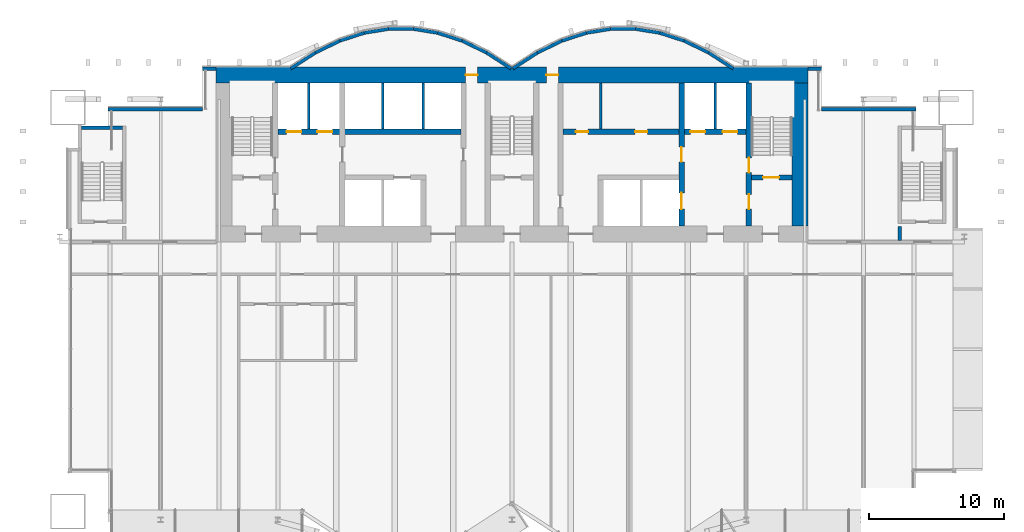
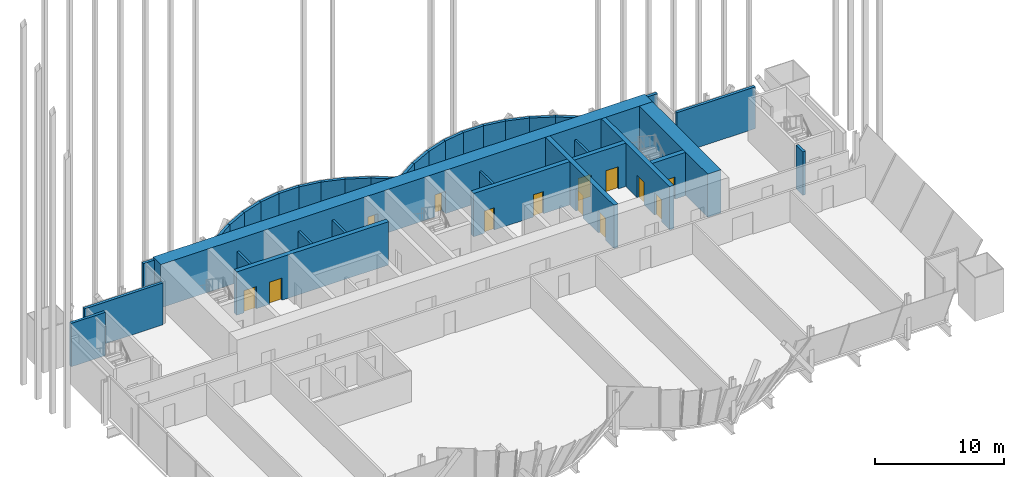
# One storey, part 30 of 33: 36 walls, 13 doors, 13 openings.
"""IFC4 building model written with IfcOpenShell, lengths in metres."""

from ifc_helpers import new_model, si_unit, direction, frame, frame_2d, origin, place, context, subcontext, project, spatial, rectangle, extrude, material, layer, layer_set, layer_usage, type_object, element, fill, save


model = new_model("IFC4")

# Units and contexts
model_context = context("Model", 3, precision=1e-05, world=origin(), true_north=direction((0.0, 1.0)))
body_context = subcontext(model_context, "Body", "Model", "MODEL_VIEW")
ifc_project = project(units=[si_unit("LENGTHUNIT", "METRE"), si_unit("AREAUNIT", "SQUARE_METRE"), si_unit("VOLUMEUNIT", "CUBIC_METRE"), si_unit("PLANEANGLEUNIT", "RADIAN"), si_unit("MASSUNIT", "GRAM", prefix="KILO")], contexts=[model_context])

# Site, building, storey
site_placement = place(None, origin())
site = spatial("IfcSite", under=ifc_project, at=site_placement, CompositionType="ELEMENT")
building_placement = place(site_placement, origin())
building = spatial("IfcBuilding", under=site, at=building_placement, Name="Bicima Exchange Tower", CompositionType="ELEMENT")
storey_placement = place(building_placement, frame((0.0, 0.0, 140.39990234375)))
storey = spatial("IfcBuildingStorey", under=building, at=storey_placement, Name="L30", CompositionType="ELEMENT", Elevation=140.39990234375)

# Walls
ifc_material_1 = material(Name="Gypsum board partition")
ifc_layer_1 = layer(ifc_material_1, 0.199951171875)
ifc_layer_set_1 = layer_set([ifc_layer_1], Name="Gypsum board partition")
wall_type_1 = type_object("IfcWallType", Name="Fire-rated gypsum partition 200 EI120", PredefinedType="PARTITIONING", material=ifc_layer_set_1)
for number, where, z_axis, x_axis, name in (
    (1, (-15.10009765625, -4.60009765625, 0.0), (0.0, 0.0, 1.0), (0.0, 1.0, 0.0), "partition wall 9"),
    (2, (-9.60009765625, -4.60009765625, 0.0), (0.0, 0.0, 1.0), (0.0, 1.0, 0.0), "partition wall 12"),
    (3, (-6.60009765625, -4.60009765625, 0.0), (0.0, 0.0, 1.0), (0.0, 1.0, 0.0), "partition wall 14"),
    (4, (15.10009765625, -4.60009765625, 0.0), (0.0, 0.0, 1.0), (0.0, 1.0, 0.0), "partition wall 23"),
):
    element("IfcWall", number, at=place(storey_placement, frame(where, z_axis=z_axis, x_axis=x_axis)), inside=storey, type_object=wall_type_1, Name=name, PredefinedType="PARTITIONING", context=body_context, shape_type="SweptSolid", body=[
        extrude(rectangle(XDim=3.400146484375, YDim=0.199951171875, at=frame_2d((1.7001953125, 0.0))), origin(), (0.0, 0.0, 1.0), 2.939453125),
    ])
ifc_layer_2 = layer(ifc_material_1, 0.199951171875)
ifc_layer_set_2 = layer_set([ifc_layer_2], Name="Gypsum board partition")
wall_type_2 = type_object("IfcWallType", Name="Fire-rated gypsum partition 200 EI60", PredefinedType="PARTITIONING", material=ifc_layer_set_2)
wall_1_placement = place(storey_placement, frame((6.60009765625, -4.60009765625, 0.0), z_axis=(0.0, 0.0, 1.0), x_axis=(0.0, 1.0, 0.0)))
element("IfcWall", 5, at=wall_1_placement, inside=storey, type_object=wall_type_2, Name="partition wall 20", PredefinedType="PARTITIONING", context=body_context, shape_type="SweptSolid", body=[
    extrude(rectangle(XDim=3.400146484375, YDim=0.199951171875, at=frame_2d((1.7001953125, 0.0))), origin(), (0.0, 0.0, 1.0), 2.939453125),
])

# Wall, openings, doors
ifc_material_2 = material(Name="Concrete C50/60", Category="concrete")
ifc_layer_3 = layer(ifc_material_2, 1.199951171875)
ifc_layer_set_3 = layer_set([ifc_layer_3], Name="Concrete C50/60")
wall_type_3 = type_object("IfcWallType", Name="RC core wall 1200 C50/60", PredefinedType="SHEAR", material=ifc_layer_set_3)
wall_2_placement = place(storey_placement, frame((-22.0, -0.60009765625, 0.0), z_axis=(0.0, 0.0, 1.0), x_axis=(1.0, 0.0, 0.0)))
wall_2 = element("IfcWall", 6, at=wall_2_placement, inside=storey, type_object=wall_type_3, Name="Core wall north", PredefinedType="SHEAR", context=body_context, shape_type="SweptSolid", body=[
    extrude(rectangle(XDim=44.0, YDim=1.199951171875, at=frame_2d((22.0, 0.0))), origin(), (0.0, 0.0, 1.0), 4.10009765625),
])
opening_1_placement = place(wall_2_placement, frame((18.550048828125, 0.0, 0.0)))
opening_1 = element("IfcOpeningElement", 7, at=opening_1_placement, cuts=wall_2, Name="Opening L30-C14", PredefinedType="OPENING", context=body_context, shape_type="SweptSolid", body=[
    extrude(rectangle(XDim=0.89990234375, YDim=2.10009765625, at=frame_2d((0.449951171875, 1.050048828125))), frame((0.0, 0.61181640625, 0.0), z_axis=(0.0, -1.0, 0.0), x_axis=(1.0, 0.0, 0.0)), (0.0, 0.0, 1.0), 1.223876953125),
])
opening_2_placement = place(wall_2_placement, frame((24.550048828125, 0.0, 0.0)))
opening_2 = element("IfcOpeningElement", 8, at=opening_2_placement, cuts=wall_2, Name="Opening L30-C15", PredefinedType="OPENING", context=body_context, shape_type="SweptSolid", body=[
    extrude(rectangle(XDim=0.89990234375, YDim=2.10009765625, at=frame_2d((0.449951171875, 1.050048828125))), frame((0.0, 0.61181640625, 0.0), z_axis=(0.0, -1.0, 0.0), x_axis=(1.0, 0.0, 0.0)), (0.0, 0.0, 1.0), 1.223876953125),
])
ifc_material_3 = material(Name="Steel fire door leaf", Category="steel")
door_type_1 = type_object("IfcDoorType", Name="Door 900 swing FD30S", OperationType="SINGLE_SWING_LEFT", PredefinedType="DOOR", material=ifc_material_3)
door_1_placement = place(opening_1_placement, origin())
door_1 = element("IfcDoor", 9, at=door_1_placement, inside=storey, type_object=door_type_1, Name="Core door", OperationType="SINGLE_SWING_LEFT", OverallHeight=2.10009765625, OverallWidth=0.89990234375, PredefinedType="DOOR", context=body_context, shape_type="SweptSolid", body=[
    extrude(rectangle(XDim=0.89990234375, YDim=2.10009765625, at=frame_2d((0.449951171875, 1.050048828125))), frame((0.0, 0.02490234375, 0.0), z_axis=(0.0, -1.0, 0.0), x_axis=(1.0, 0.0, 0.0)), (0.0, 0.0, 1.0), 0.050048828125),
])
fill(opening_1, door_1)
door_2_placement = place(opening_2_placement, origin())
door_2 = element("IfcDoor", 10, at=door_2_placement, inside=storey, type_object=door_type_1, Name="Core door", OperationType="SINGLE_SWING_LEFT", OverallHeight=2.10009765625, OverallWidth=0.89990234375, PredefinedType="DOOR", context=body_context, shape_type="SweptSolid", body=[
    extrude(rectangle(XDim=0.89990234375, YDim=2.10009765625, at=frame_2d((0.449951171875, 1.050048828125))), frame((0.0, 0.02490234375, 0.0), z_axis=(0.0, -1.0, 0.0), x_axis=(1.0, 0.0, 0.0)), (0.0, 0.0, 1.0), 0.050048828125),
])
fill(opening_2, door_2)

# Walls
wall_3_placement = place(storey_placement, frame((21.39990234375, -11.800048828125, 0.0), z_axis=(0.0, 0.0, 1.0), x_axis=(0.0, 1.0, 0.0)))
element("IfcWall", 11, at=wall_3_placement, inside=storey, type_object=wall_type_3, Name="Core wall east", PredefinedType="SHEAR", context=body_context, shape_type="SweptSolid", body=[
    extrude(rectangle(XDim=10.60009765625, YDim=1.199951171875, at=frame_2d((5.300048828125, 0.0))), origin(), (0.0, 0.0, 1.0), 4.10009765625),
])
ifc_layer_4 = layer(ifc_material_2, 0.25)
ifc_layer_set_4 = layer_set([ifc_layer_4], Name="Concrete C50/60")
wall_type_4 = type_object("IfcWallType", Name="RC core wall 250 C50/60", PredefinedType="SHEAR", material=ifc_layer_set_4)
wall_4_placement = place(storey_placement, frame((28.800048828125, -12.89990234375, 0.0), z_axis=(0.0, 0.0, 1.0), x_axis=(0.0, 1.0, 0.0)))
element("IfcWall", 12, at=wall_4_placement, inside=storey, type_object=wall_type_4, Name="stair wall 24", PredefinedType="SHEAR", context=body_context, shape_type="SweptSolid", body=[
    extrude(rectangle(XDim=1.0498046875, YDim=0.25, at=frame_2d((0.52490234375, 0.0))), origin(), (0.0, 0.0, 1.0), 4.10009765625),
])

# Wall, opening, door
ifc_layer_5 = layer(ifc_material_2, 0.39990234375)
ifc_layer_set_5 = layer_set([ifc_layer_5], Name="Concrete C50/60")
wall_type_5 = type_object("IfcWallType", Name="RC core wall 400 C50/60", PredefinedType="SHEAR", material=ifc_layer_set_5)
wall_5_placement = place(storey_placement, frame((17.800048828125, -8.199951171875, 0.0), z_axis=(0.0, 0.0, 1.0), x_axis=(1.0, 0.0, 0.0)))
wall_5 = element("IfcWall", 13, at=wall_5_placement, inside=storey, type_object=wall_type_5, Name="stair wall 5", PredefinedType="SHEAR", context=body_context, shape_type="SweptSolid", body=[
    extrude(rectangle(XDim=3.0, YDim=0.39990234375, at=frame_2d((1.5, 0.0))), origin(), (0.0, 0.0, 1.0), 4.10009765625),
])
opening_3_placement = place(wall_5_placement, frame((0.85009765625, 0.0, 0.0)))
opening_3 = element("IfcOpeningElement", 14, at=opening_3_placement, cuts=wall_5, Name="Opening L30-C04", PredefinedType="OPENING", context=body_context, shape_type="SweptSolid", body=[
    extrude(rectangle(XDim=1.199951171875, YDim=2.10009765625, at=frame_2d((0.60009765625, 1.050048828125))), frame((0.0, 0.2119140625, 0.0), z_axis=(0.0, -1.0, 0.0), x_axis=(1.0, 0.0, 0.0)), (0.0, 0.0, 1.0), 0.423828125),
])
door_type_2 = type_object("IfcDoorType", Name="Door 1200 swing FD60S", OperationType="SINGLE_SWING_LEFT", PredefinedType="DOOR", material=ifc_material_3)
door_3_placement = place(opening_3_placement, origin())
door_3 = element("IfcDoor", 15, at=door_3_placement, inside=storey, type_object=door_type_2, Name="Core door", OperationType="SINGLE_SWING_RIGHT", OverallHeight=2.10009765625, OverallWidth=1.199951171875, PredefinedType="DOOR", context=body_context, shape_type="SweptSolid", body=[
    extrude(rectangle(XDim=1.199951171875, YDim=2.10009765625, at=frame_2d((0.60009765625, 1.050048828125))), frame((0.0, 0.02490234375, 0.0), z_axis=(0.0, -1.0, 0.0), x_axis=(1.0, 0.0, 0.0)), (0.0, 0.0, 1.0), 0.050048828125),
])
fill(opening_3, door_3)

# Wall, openings, doors
wall_6_placement = place(storey_placement, frame((-17.39990234375, -4.800048828125, 0.0), z_axis=(0.0, 0.0, 1.0), x_axis=(1.0, 0.0, 0.0)))
wall_6 = element("IfcWall", 16, at=wall_6_placement, inside=storey, type_object=wall_type_5, Name="shear wall 6", PredefinedType="SHEAR", context=body_context, shape_type="SweptSolid", body=[
    extrude(rectangle(XDim=13.599853515625, YDim=0.39990234375, at=frame_2d((6.7998046875, 0.0))), origin(), (0.0, 0.0, 1.0), 4.10009765625),
])
opening_4_placement = place(wall_6_placement, frame((0.64990234375, 0.0, 0.0)))
opening_4 = element("IfcOpeningElement", 17, at=opening_4_placement, cuts=wall_6, Name="Opening LD-FF1-L30", PredefinedType="OPENING", context=body_context, shape_type="SweptSolid", body=[
    extrude(rectangle(XDim=1.10009765625, YDim=2.10009765625, at=frame_2d((0.550048828125, 1.050048828125))), frame((0.0, 0.2119140625, 0.0), z_axis=(0.0, -1.0, 0.0), x_axis=(1.0, 0.0, 0.0)), (0.0, 0.0, 1.0), 0.423828125),
])
opening_5_placement = place(wall_6_placement, frame((2.949951171875, 0.0, 0.0)))
opening_5 = element("IfcOpeningElement", 18, at=opening_5_placement, cuts=wall_6, Name="Opening LD-FF3-L30", PredefinedType="OPENING", context=body_context, shape_type="SweptSolid", body=[
    extrude(rectangle(XDim=1.10009765625, YDim=2.10009765625, at=frame_2d((0.550048828125, 1.050048828125))), frame((0.0, 0.2119140625, 0.0), z_axis=(0.0, -1.0, 0.0), x_axis=(1.0, 0.0, 0.0)), (0.0, 0.0, 1.0), 0.423828125),
])
ifc_material_4 = material(Name="Stainless steel", Category="steel")
door_type_3 = type_object("IfcDoorType", Name="Lift landing door 1100 sliding", OperationType="DOUBLE_DOOR_SLIDING", PredefinedType="DOOR", material=ifc_material_4)
door_4_placement = place(opening_4_placement, origin())
door_4 = element("IfcDoor", 19, at=door_4_placement, inside=storey, type_object=door_type_3, Name="Lift landing door FF1", OperationType="DOUBLE_DOOR_SLIDING", OverallHeight=2.10009765625, OverallWidth=1.10009765625, PredefinedType="DOOR", context=body_context, shape_type="SweptSolid", body=[
    extrude(rectangle(XDim=1.10009765625, YDim=2.10009765625, at=frame_2d((0.550048828125, 1.050048828125))), frame((0.0, 0.02490234375, 0.0), z_axis=(0.0, -1.0, 0.0), x_axis=(1.0, 0.0, 0.0)), (0.0, 0.0, 1.0), 0.050048828125),
])
fill(opening_4, door_4)
door_5_placement = place(opening_5_placement, origin())
door_5 = element("IfcDoor", 20, at=door_5_placement, inside=storey, type_object=door_type_3, Name="Lift landing door FF3", OperationType="DOUBLE_DOOR_SLIDING", OverallHeight=2.10009765625, OverallWidth=1.10009765625, PredefinedType="DOOR", context=body_context, shape_type="SweptSolid", body=[
    extrude(rectangle(XDim=1.10009765625, YDim=2.10009765625, at=frame_2d((0.550048828125, 1.050048828125))), frame((0.0, 0.02490234375, 0.0), z_axis=(0.0, -1.0, 0.0), x_axis=(1.0, 0.0, 0.0)), (0.0, 0.0, 1.0), 0.050048828125),
])
fill(opening_5, door_5)

wall_7_placement = place(storey_placement, frame((3.800048828125, -4.800048828125, 0.0), z_axis=(0.0, 0.0, 1.0), x_axis=(1.0, 0.0, 0.0)))
wall_7 = element("IfcWall", 21, at=wall_7_placement, inside=storey, type_object=wall_type_5, Name="shear wall 7", PredefinedType="SHEAR", context=body_context, shape_type="SweptSolid", body=[
    extrude(rectangle(XDim=13.599853515625, YDim=0.39990234375, at=frame_2d((6.7998046875, 0.0))), origin(), (0.0, 0.0, 1.0), 4.10009765625),
])
opening_6_placement = place(wall_7_placement, frame((9.449951171875, 0.0, 0.0)))
opening_6 = element("IfcOpeningElement", 22, at=opening_6_placement, cuts=wall_7, Name="Opening LD-FF2-L30", PredefinedType="OPENING", context=body_context, shape_type="SweptSolid", body=[
    extrude(rectangle(XDim=1.10009765625, YDim=2.10009765625, at=frame_2d((0.550048828125, 1.050048828125))), frame((0.0, 0.2119140625, 0.0), z_axis=(0.0, -1.0, 0.0), x_axis=(1.0, 0.0, 0.0)), (0.0, 0.0, 1.0), 0.423828125),
])
opening_7_placement = place(wall_7_placement, frame((11.85009765625, 0.0, 0.0)))
opening_7 = element("IfcOpeningElement", 23, at=opening_7_placement, cuts=wall_7, Name="Opening LD-SV1-L30", PredefinedType="OPENING", context=body_context, shape_type="SweptSolid", body=[
    extrude(rectangle(XDim=1.10009765625, YDim=2.10009765625, at=frame_2d((0.550048828125, 1.050048828125))), frame((0.0, 0.2119140625, 0.0), z_axis=(0.0, -1.0, 0.0), x_axis=(1.0, 0.0, 0.0)), (0.0, 0.0, 1.0), 0.423828125),
])
opening_8_placement = place(wall_7_placement, frame((0.949951171875, 0.0, 0.0)))
opening_8 = element("IfcOpeningElement", 24, at=opening_8_placement, cuts=wall_7, Name="Opening L30-C12", PredefinedType="OPENING", context=body_context, shape_type="SweptSolid", body=[
    extrude(rectangle(XDim=0.89990234375, YDim=2.10009765625, at=frame_2d((0.449951171875, 1.050048828125))), frame((0.0, 0.2119140625, 0.0), z_axis=(0.0, -1.0, 0.0), x_axis=(1.0, 0.0, 0.0)), (0.0, 0.0, 1.0), 0.423828125),
])
opening_9_placement = place(wall_7_placement, frame((5.35009765625, 0.0, 0.0)))
opening_9 = element("IfcOpeningElement", 25, at=opening_9_placement, cuts=wall_7, Name="Opening L30-C13", PredefinedType="OPENING", context=body_context, shape_type="SweptSolid", body=[
    extrude(rectangle(XDim=0.89990234375, YDim=2.10009765625, at=frame_2d((0.449951171875, 1.050048828125))), frame((0.0, 0.2119140625, 0.0), z_axis=(0.0, -1.0, 0.0), x_axis=(1.0, 0.0, 0.0)), (0.0, 0.0, 1.0), 0.423828125),
])
door_6_placement = place(opening_8_placement, origin())
door_6 = element("IfcDoor", 26, at=door_6_placement, inside=storey, type_object=door_type_1, Name="Core door", OperationType="SINGLE_SWING_RIGHT", OverallHeight=2.10009765625, OverallWidth=0.89990234375, PredefinedType="DOOR", context=body_context, shape_type="SweptSolid", body=[
    extrude(rectangle(XDim=0.89990234375, YDim=2.10009765625, at=frame_2d((0.449951171875, 1.050048828125))), frame((0.0, 0.02490234375, 0.0), z_axis=(0.0, -1.0, 0.0), x_axis=(1.0, 0.0, 0.0)), (0.0, 0.0, 1.0), 0.050048828125),
])
fill(opening_8, door_6)
door_7_placement = place(opening_9_placement, origin())
door_7 = element("IfcDoor", 27, at=door_7_placement, inside=storey, type_object=door_type_1, Name="Core door", OperationType="SINGLE_SWING_LEFT", OverallHeight=2.10009765625, OverallWidth=0.89990234375, PredefinedType="DOOR", context=body_context, shape_type="SweptSolid", body=[
    extrude(rectangle(XDim=0.89990234375, YDim=2.10009765625, at=frame_2d((0.449951171875, 1.050048828125))), frame((0.0, 0.02490234375, 0.0), z_axis=(0.0, -1.0, 0.0), x_axis=(1.0, 0.0, 0.0)), (0.0, 0.0, 1.0), 0.050048828125),
])
fill(opening_9, door_7)
door_8_placement = place(opening_6_placement, origin())
door_8 = element("IfcDoor", 28, at=door_8_placement, inside=storey, type_object=door_type_3, Name="Lift landing door FF2", OperationType="DOUBLE_DOOR_SLIDING", OverallHeight=2.10009765625, OverallWidth=1.10009765625, PredefinedType="DOOR", context=body_context, shape_type="SweptSolid", body=[
    extrude(rectangle(XDim=1.10009765625, YDim=2.10009765625, at=frame_2d((0.550048828125, 1.050048828125))), frame((0.0, 0.02490234375, 0.0), z_axis=(0.0, -1.0, 0.0), x_axis=(1.0, 0.0, 0.0)), (0.0, 0.0, 1.0), 0.050048828125),
])
fill(opening_6, door_8)
door_9_placement = place(opening_7_placement, origin())
door_9 = element("IfcDoor", 29, at=door_9_placement, inside=storey, type_object=door_type_3, Name="Lift landing door SV1", OperationType="DOUBLE_DOOR_SLIDING", OverallHeight=2.10009765625, OverallWidth=1.10009765625, PredefinedType="DOOR", context=body_context, shape_type="SweptSolid", body=[
    extrude(rectangle(XDim=1.10009765625, YDim=2.10009765625, at=frame_2d((0.550048828125, 1.050048828125))), frame((0.0, 0.02490234375, 0.0), z_axis=(0.0, -1.0, 0.0), x_axis=(1.0, 0.0, 0.0)), (0.0, 0.0, 1.0), 0.050048828125),
])
fill(opening_7, door_9)

wall_8_placement = place(storey_placement, frame((12.60009765625, -11.800048828125, 0.0), z_axis=(0.0, 0.0, 1.0), x_axis=(0.0, 1.0, 0.0)))
wall_8 = element("IfcWall", 30, at=wall_8_placement, inside=storey, type_object=wall_type_5, Name="shear wall 22", PredefinedType="SHEAR", context=body_context, shape_type="SweptSolid", body=[
    extrude(rectangle(XDim=10.60009765625, YDim=0.39990234375, at=frame_2d((5.300048828125, 0.0))), origin(), (0.0, 0.0, 1.0), 4.10009765625),
])
opening_10_placement = place(wall_8_placement, frame((1.25, 0.0, 0.0)))
opening_10 = element("IfcOpeningElement", 31, at=opening_10_placement, cuts=wall_8, Name="Opening LD-MB2-L30", PredefinedType="OPENING", context=body_context, shape_type="SweptSolid", body=[
    extrude(rectangle(XDim=1.199951171875, YDim=2.10009765625, at=frame_2d((0.60009765625, 1.050048828125))), frame((0.0, 0.2119140625, 0.0), z_axis=(0.0, -1.0, 0.0), x_axis=(1.0, 0.0, 0.0)), (0.0, 0.0, 1.0), 0.423828125),
])
opening_11_placement = place(wall_8_placement, frame((4.75, 0.0, 0.0)))
opening_11 = element("IfcOpeningElement", 32, at=opening_11_placement, cuts=wall_8, Name="Opening L30-C09", PredefinedType="OPENING", context=body_context, shape_type="SweptSolid", body=[
    extrude(rectangle(XDim=1.10009765625, YDim=2.10009765625, at=frame_2d((0.550048828125, 1.050048828125))), frame((0.0, 0.2119140625, 0.0), z_axis=(0.0, -1.0, 0.0), x_axis=(1.0, 0.0, 0.0)), (0.0, 0.0, 1.0), 0.423828125),
])
door_type_4 = type_object("IfcDoorType", Name="Door 1100 swing FD60S", OperationType="SINGLE_SWING_LEFT", PredefinedType="DOOR", material=ifc_material_3)
door_10_placement = place(opening_11_placement, frame((1.10009765625, 0.0, 0.0), z_axis=(0.0, 0.0, 1.0), x_axis=(-1.0, 0.0, 0.0)))
door_10 = element("IfcDoor", 33, at=door_10_placement, inside=storey, type_object=door_type_4, Name="Core door", OperationType="SINGLE_SWING_RIGHT", OverallHeight=2.10009765625, OverallWidth=1.10009765625, PredefinedType="DOOR", context=body_context, shape_type="SweptSolid", body=[
    extrude(rectangle(XDim=1.10009765625, YDim=2.10009765625, at=frame_2d((0.550048828125, 1.050048828125))), frame((0.0, 0.02490234375, 0.0), z_axis=(0.0, -1.0, 0.0), x_axis=(1.0, 0.0, 0.0)), (0.0, 0.0, 1.0), 0.050048828125),
])
fill(opening_11, door_10)
door_type_5 = type_object("IfcDoorType", Name="Lift landing door 1200 sliding", OperationType="DOUBLE_DOOR_SLIDING", PredefinedType="DOOR", material=ifc_material_4)
door_11_placement = place(opening_10_placement, origin())
door_11 = element("IfcDoor", 34, at=door_11_placement, inside=storey, type_object=door_type_5, Name="Lift landing door MB2", OperationType="DOUBLE_DOOR_SLIDING", OverallHeight=2.10009765625, OverallWidth=1.199951171875, PredefinedType="DOOR", context=body_context, shape_type="SweptSolid", body=[
    extrude(rectangle(XDim=1.199951171875, YDim=2.10009765625, at=frame_2d((0.60009765625, 1.050048828125))), frame((0.0, 0.02490234375, 0.0), z_axis=(0.0, -1.0, 0.0), x_axis=(1.0, 0.0, 0.0)), (0.0, 0.0, 1.0), 0.050048828125),
])
fill(opening_10, door_11)

wall_9_placement = place(storey_placement, frame((17.60009765625, -11.800048828125, 0.0), z_axis=(0.0, 0.0, 1.0), x_axis=(0.0, 1.0, 0.0)))
wall_9 = element("IfcWall", 35, at=wall_9_placement, inside=storey, type_object=wall_type_5, Name="stair wall 24", PredefinedType="SHEAR", context=body_context, shape_type="SweptSolid", body=[
    extrude(rectangle(XDim=10.60009765625, YDim=0.39990234375, at=frame_2d((5.300048828125, 0.0))), origin(), (0.0, 0.0, 1.0), 4.10009765625),
])
opening_12_placement = place(wall_9_placement, frame((1.25, 0.0, 0.0)))
opening_12 = element("IfcOpeningElement", 36, at=opening_12_placement, cuts=wall_9, Name="Opening L30-C05", PredefinedType="OPENING", context=body_context, shape_type="SweptSolid", body=[
    extrude(rectangle(XDim=1.10009765625, YDim=2.10009765625, at=frame_2d((0.550048828125, 1.050048828125))), frame((0.0, 0.2119140625, 0.0), z_axis=(0.0, -1.0, 0.0), x_axis=(1.0, 0.0, 0.0)), (0.0, 0.0, 1.0), 0.423828125),
])
opening_13_placement = place(wall_9_placement, frame((3.949951171875, 0.0, 0.0)))
opening_13 = element("IfcOpeningElement", 37, at=opening_13_placement, cuts=wall_9, Name="Opening L30-C08", PredefinedType="OPENING", context=body_context, shape_type="SweptSolid", body=[
    extrude(rectangle(XDim=1.10009765625, YDim=2.10009765625, at=frame_2d((0.550048828125, 1.050048828125))), frame((0.0, 0.2119140625, 0.0), z_axis=(0.0, -1.0, 0.0), x_axis=(1.0, 0.0, 0.0)), (0.0, 0.0, 1.0), 0.423828125),
])
door_12_placement = place(opening_12_placement, origin())
door_12 = element("IfcDoor", 38, at=door_12_placement, inside=storey, type_object=door_type_4, Name="Core door", OperationType="SINGLE_SWING_LEFT", OverallHeight=2.10009765625, OverallWidth=1.10009765625, PredefinedType="DOOR", context=body_context, shape_type="SweptSolid", body=[
    extrude(rectangle(XDim=1.10009765625, YDim=2.10009765625, at=frame_2d((0.550048828125, 1.050048828125))), frame((0.0, 0.02490234375, 0.0), z_axis=(0.0, -1.0, 0.0), x_axis=(1.0, 0.0, 0.0)), (0.0, 0.0, 1.0), 0.050048828125),
])
fill(opening_12, door_12)
door_13_placement = place(opening_13_placement, origin())
door_13 = element("IfcDoor", 39, at=door_13_placement, inside=storey, type_object=door_type_4, Name="Core door", OperationType="SINGLE_SWING_RIGHT", OverallHeight=2.10009765625, OverallWidth=1.10009765625, PredefinedType="DOOR", context=body_context, shape_type="SweptSolid", body=[
    extrude(rectangle(XDim=1.10009765625, YDim=2.10009765625, at=frame_2d((0.550048828125, 1.050048828125))), frame((0.0, 0.02490234375, 0.0), z_axis=(0.0, -1.0, 0.0), x_axis=(1.0, 0.0, 0.0)), (0.0, 0.0, 1.0), 0.050048828125),
])
fill(opening_13, door_13)

# Walls
ifc_layer_6 = layer(ifc_material_2, 0.25)
ifc_layer_set_6 = layer_set([ifc_layer_6], Name="Concrete C50/60")
wall_type_6 = type_object("IfcWallType", Name="RC stair enclosure wall 250 C50/60", PredefinedType="SHEAR", material=ifc_layer_set_6)
wall_10_placement = place(storey_placement, frame((-31.97509765625, -4.5, 0.0), z_axis=(0.0, 0.0, 1.0), x_axis=(1.0, 0.0, 0.0)))
element("IfcWall", 40, at=wall_10_placement, inside=storey, type_object=wall_type_6, Name="West end exit stair wall N", PredefinedType="SHEAR", context=body_context, shape_type="SweptSolid", body=[
    extrude(rectangle(XDim=3.050048828125, YDim=0.25, at=frame_2d((1.52490234375, 0.0))), origin(), (0.0, 0.0, 1.0), 4.10009765625),
])
ifc_material_5 = material(Name="Concrete C40/50", Category="concrete")
ifc_layer_7 = layer(ifc_material_5, 0.25)
ifc_layer_set_7 = layer_set([ifc_layer_7], Name="Concrete C40/50")
ifc_layer_usage = layer_usage(ifc_layer_set_7, "AXIS2", "POSITIVE", -0.125)
wall_type_7 = type_object("IfcWallType", Name="Rear backup wall 250", PredefinedType="STANDARD", material=ifc_layer_set_7)
wall_11_placement = place(storey_placement, frame((30.0, -3.125, 0.0), z_axis=(0.0, 0.0, 1.0), x_axis=(-1.0, 0.0, 0.0)))
element("IfcWall", 41, at=wall_11_placement, inside=storey, type_object=wall_type_7, material=ifc_layer_usage, Name="Rear backup wall L30 5", PredefinedType="STANDARD", context=body_context, shape_type="SweptSolid", body=[
    extrude(rectangle(XDim=7.0, YDim=0.25, at=frame_2d((3.5, 0.0))), origin(), (0.0, 0.0, 1.0), 3.9501953125),
])
wall_12_placement = place(storey_placement, frame((23.0, -0.125, 0.0), z_axis=(0.0, 0.0, 1.0), x_axis=(-1.0, 0.0, 0.0)))
element("IfcWall", 42, at=wall_12_placement, inside=storey, type_object=wall_type_7, material=ifc_layer_usage, Name="Rear backup wall L30 7", PredefinedType="STANDARD", context=body_context, shape_type="SweptSolid", body=[
    extrude(rectangle(XDim=1.0, YDim=0.25, at=frame_2d((0.5, 0.0))), origin(), (0.0, 0.0, 1.0), 3.9501953125),
])
wall_13_placement = place(storey_placement, frame((16.43212890625, -0.10498046875, 0.0), z_axis=(0.0, 0.0, 1.0), x_axis=(-0.83981312244, 0.542875602121, 0.0)))
element("IfcWall", 43, at=wall_13_placement, inside=storey, type_object=wall_type_7, material=ifc_layer_usage, Name="Rear backup wall L30 8", PredefinedType="STANDARD", context=body_context, shape_type="SweptSolid", body=[
    extrude(rectangle(XDim=2.182861328125, YDim=0.25, at=frame_2d((1.09130859375, 0.0))), origin(), (0.0, 0.0, 1.0), 3.9501953125),
])
wall_14_placement = place(storey_placement, frame((14.6123046875, 1.07275390625, 0.0), z_axis=(0.0, 0.0, 1.0), x_axis=(-0.89982408427, 0.436252928206, 0.0)))
element("IfcWall", 44, at=wall_14_placement, inside=storey, type_object=wall_type_7, material=ifc_layer_usage, Name="Rear backup wall L30 9", PredefinedType="STANDARD", context=body_context, shape_type="SweptSolid", body=[
    extrude(rectangle(XDim=2.03759765625, YDim=0.25, at=frame_2d((1.018798828125, 0.0))), origin(), (0.0, 0.0, 1.0), 3.9501953125),
])
wall_15_placement = place(storey_placement, frame((12.794921875, 1.955078125, 0.0), z_axis=(0.0, 0.0, 1.0), x_axis=(-0.951495806175, 0.307661714928, 0.0)))
element("IfcWall", 45, at=wall_15_placement, inside=storey, type_object=wall_type_7, material=ifc_layer_usage, Name="Rear backup wall L30 10", PredefinedType="STANDARD", context=body_context, shape_type="SweptSolid", body=[
    extrude(rectangle(XDim=1.9267578125, YDim=0.25, at=frame_2d((0.96337890625, 0.0))), origin(), (0.0, 0.0, 1.0), 3.9501953125),
])
wall_16_placement = place(storey_placement, frame((10.97998046875, 2.543212890625, 0.0), z_axis=(0.0, 0.0, 1.0), x_axis=(-0.987181718931, 0.159600293885, 0.0)))
element("IfcWall", 46, at=wall_16_placement, inside=storey, type_object=wall_type_7, material=ifc_layer_usage, Name="Rear backup wall L30 11", PredefinedType="STANDARD", context=body_context, shape_type="SweptSolid", body=[
    extrude(rectangle(XDim=1.857177734375, YDim=0.25, at=frame_2d((0.9287109375, 0.0))), origin(), (0.0, 0.0, 1.0), 3.9501953125),
])
wall_17_placement = place(storey_placement, frame((9.166748046875, 2.837890625, 0.0), z_axis=(0.0, 0.0, 1.0), x_axis=(-1.0, 0.0, 0.0)))
element("IfcWall", 47, at=wall_17_placement, inside=storey, type_object=wall_type_7, material=ifc_layer_usage, Name="Rear backup wall L30 12", PredefinedType="STANDARD", context=body_context, shape_type="SweptSolid", body=[
    extrude(rectangle(XDim=1.83349609375, YDim=0.25, at=frame_2d((0.916748046875, 0.0))), origin(), (0.0, 0.0, 1.0), 3.9501953125),
])
wall_18_placement = place(storey_placement, frame((7.353271484375, 2.839599609375, 0.0), z_axis=(0.0, 0.0, 1.0), x_axis=(-0.987181718931, -0.159600293885, 0.0)))
element("IfcWall", 48, at=wall_18_placement, inside=storey, type_object=wall_type_7, material=ifc_layer_usage, Name="Rear backup wall L30 13", PredefinedType="STANDARD", context=body_context, shape_type="SweptSolid", body=[
    extrude(rectangle(XDim=1.857177734375, YDim=0.25, at=frame_2d((0.9287109375, 0.0))), origin(), (0.0, 0.0, 1.0), 3.9501953125),
])
wall_19_placement = place(storey_placement, frame((5.538330078125, 2.5478515625, 0.0), z_axis=(0.0, 0.0, 1.0), x_axis=(-0.951495806175, -0.307661714928, 0.0)))
element("IfcWall", 49, at=wall_19_placement, inside=storey, type_object=wall_type_7, material=ifc_layer_usage, Name="Rear backup wall L30 14", PredefinedType="STANDARD", context=body_context, shape_type="SweptSolid", body=[
    extrude(rectangle(XDim=1.9267578125, YDim=0.25, at=frame_2d((0.96337890625, 0.0))), origin(), (0.0, 0.0, 1.0), 3.9501953125),
])
wall_20_placement = place(storey_placement, frame((3.72119140625, 1.961669921875, 0.0), z_axis=(0.0, 0.0, 1.0), x_axis=(-0.89982408427, -0.436252928206, 0.0)))
element("IfcWall", 50, at=wall_20_placement, inside=storey, type_object=wall_type_7, material=ifc_layer_usage, Name="Rear backup wall L30 15", PredefinedType="STANDARD", context=body_context, shape_type="SweptSolid", body=[
    extrude(rectangle(XDim=2.03759765625, YDim=0.25, at=frame_2d((1.018798828125, 0.0))), origin(), (0.0, 0.0, 1.0), 3.9501953125),
])
for number, where, z_axis, x_axis, name in (
    (51, (1.901123046875, 1.080078125, 0.0), (0.0, 0.0, 1.0), (-0.83981312244, -0.542875602121, 0.0), "Rear backup wall L30 16"),
    (52, (-0.06787109375, -0.10498046875, 0.0), (0.0, 0.0, 1.0), (-0.83981312244, 0.542875602121, 0.0), "Rear backup wall L30 17"),
):
    element("IfcWall", number, at=place(storey_placement, frame(where, z_axis=z_axis, x_axis=x_axis)), inside=storey, type_object=wall_type_7, material=ifc_layer_usage, Name=name, PredefinedType="STANDARD", context=body_context, shape_type="SweptSolid", body=[
        extrude(rectangle(XDim=2.182861328125, YDim=0.25, at=frame_2d((1.09130859375, 0.0))), origin(), (0.0, 0.0, 1.0), 3.9501953125),
    ])
wall_21_placement = place(storey_placement, frame((-1.8876953125, 1.07275390625, 0.0), z_axis=(0.0, 0.0, 1.0), x_axis=(-0.89982408427, 0.436252928206, 0.0)))
element("IfcWall", 53, at=wall_21_placement, inside=storey, type_object=wall_type_7, material=ifc_layer_usage, Name="Rear backup wall L30 18", PredefinedType="STANDARD", context=body_context, shape_type="SweptSolid", body=[
    extrude(rectangle(XDim=2.03759765625, YDim=0.25, at=frame_2d((1.018798828125, 0.0))), origin(), (0.0, 0.0, 1.0), 3.9501953125),
])
wall_22_placement = place(storey_placement, frame((-3.705078125, 1.955078125, 0.0), z_axis=(0.0, 0.0, 1.0), x_axis=(-0.951495806175, 0.307661714928, 0.0)))
element("IfcWall", 54, at=wall_22_placement, inside=storey, type_object=wall_type_7, material=ifc_layer_usage, Name="Rear backup wall L30 19", PredefinedType="STANDARD", context=body_context, shape_type="SweptSolid", body=[
    extrude(rectangle(XDim=1.9267578125, YDim=0.25, at=frame_2d((0.96337890625, 0.0))), origin(), (0.0, 0.0, 1.0), 3.9501953125),
])
wall_23_placement = place(storey_placement, frame((-5.52001953125, 2.543212890625, 0.0), z_axis=(0.0, 0.0, 1.0), x_axis=(-0.987181718931, 0.159600293885, 0.0)))
element("IfcWall", 55, at=wall_23_placement, inside=storey, type_object=wall_type_7, material=ifc_layer_usage, Name="Rear backup wall L30 20", PredefinedType="STANDARD", context=body_context, shape_type="SweptSolid", body=[
    extrude(rectangle(XDim=1.857177734375, YDim=0.25, at=frame_2d((0.9287109375, 0.0))), origin(), (0.0, 0.0, 1.0), 3.9501953125),
])
wall_24_placement = place(storey_placement, frame((-7.333251953125, 2.837890625, 0.0), z_axis=(0.0, 0.0, 1.0), x_axis=(-1.0, 0.0, 0.0)))
element("IfcWall", 56, at=wall_24_placement, inside=storey, type_object=wall_type_7, material=ifc_layer_usage, Name="Rear backup wall L30 21", PredefinedType="STANDARD", context=body_context, shape_type="SweptSolid", body=[
    extrude(rectangle(XDim=1.83349609375, YDim=0.25, at=frame_2d((0.916748046875, 0.0))), origin(), (0.0, 0.0, 1.0), 3.9501953125),
])
wall_25_placement = place(storey_placement, frame((-9.146728515625, 2.839599609375, 0.0), z_axis=(0.0, 0.0, 1.0), x_axis=(-0.987181718931, -0.159600293885, 0.0)))
element("IfcWall", 57, at=wall_25_placement, inside=storey, type_object=wall_type_7, material=ifc_layer_usage, Name="Rear backup wall L30 22", PredefinedType="STANDARD", context=body_context, shape_type="SweptSolid", body=[
    extrude(rectangle(XDim=1.857177734375, YDim=0.25, at=frame_2d((0.9287109375, 0.0))), origin(), (0.0, 0.0, 1.0), 3.9501953125),
])
wall_26_placement = place(storey_placement, frame((-10.961669921875, 2.5478515625, 0.0), z_axis=(0.0, 0.0, 1.0), x_axis=(-0.951495806175, -0.307661714928, 0.0)))
element("IfcWall", 58, at=wall_26_placement, inside=storey, type_object=wall_type_7, material=ifc_layer_usage, Name="Rear backup wall L30 23", PredefinedType="STANDARD", context=body_context, shape_type="SweptSolid", body=[
    extrude(rectangle(XDim=1.9267578125, YDim=0.25, at=frame_2d((0.96337890625, 0.0))), origin(), (0.0, 0.0, 1.0), 3.9501953125),
])
wall_27_placement = place(storey_placement, frame((-12.77880859375, 1.961669921875, 0.0), z_axis=(0.0, 0.0, 1.0), x_axis=(-0.89982408427, -0.436252928206, 0.0)))
element("IfcWall", 59, at=wall_27_placement, inside=storey, type_object=wall_type_7, material=ifc_layer_usage, Name="Rear backup wall L30 24", PredefinedType="STANDARD", context=body_context, shape_type="SweptSolid", body=[
    extrude(rectangle(XDim=2.03759765625, YDim=0.25, at=frame_2d((1.018798828125, 0.0))), origin(), (0.0, 0.0, 1.0), 3.9501953125),
])
wall_28_placement = place(storey_placement, frame((-14.598876953125, 1.080078125, 0.0), z_axis=(0.0, 0.0, 1.0), x_axis=(-0.83981312244, -0.542875602121, 0.0)))
element("IfcWall", 60, at=wall_28_placement, inside=storey, type_object=wall_type_7, material=ifc_layer_usage, Name="Rear backup wall L30 25", PredefinedType="STANDARD", context=body_context, shape_type="SweptSolid", body=[
    extrude(rectangle(XDim=2.182861328125, YDim=0.25, at=frame_2d((1.09130859375, 0.0))), origin(), (0.0, 0.0, 1.0), 3.9501953125),
])
wall_29_placement = place(storey_placement, frame((-22.0, -0.125, 0.0), z_axis=(0.0, 0.0, 1.0), x_axis=(-1.0, 0.0, 0.0)))
element("IfcWall", 61, at=wall_29_placement, inside=storey, type_object=wall_type_7, material=ifc_layer_usage, Name="Rear backup wall L30 26", PredefinedType="STANDARD", context=body_context, shape_type="SweptSolid", body=[
    extrude(rectangle(XDim=1.0, YDim=0.25, at=frame_2d((0.5, 0.0))), origin(), (0.0, 0.0, 1.0), 3.9501953125),
])
wall_30_placement = place(storey_placement, frame((-23.0, -3.125, 0.0), z_axis=(0.0, 0.0, 1.0), x_axis=(-1.0, 0.0, 0.0)))
element("IfcWall", 62, at=wall_30_placement, inside=storey, type_object=wall_type_7, material=ifc_layer_usage, Name="Rear backup wall L30 28", PredefinedType="STANDARD", context=body_context, shape_type="SweptSolid", body=[
    extrude(rectangle(XDim=7.0, YDim=0.25, at=frame_2d((3.5, 0.0))), origin(), (0.0, 0.0, 1.0), 3.9501953125),
])

save(model, "model.ifc")
